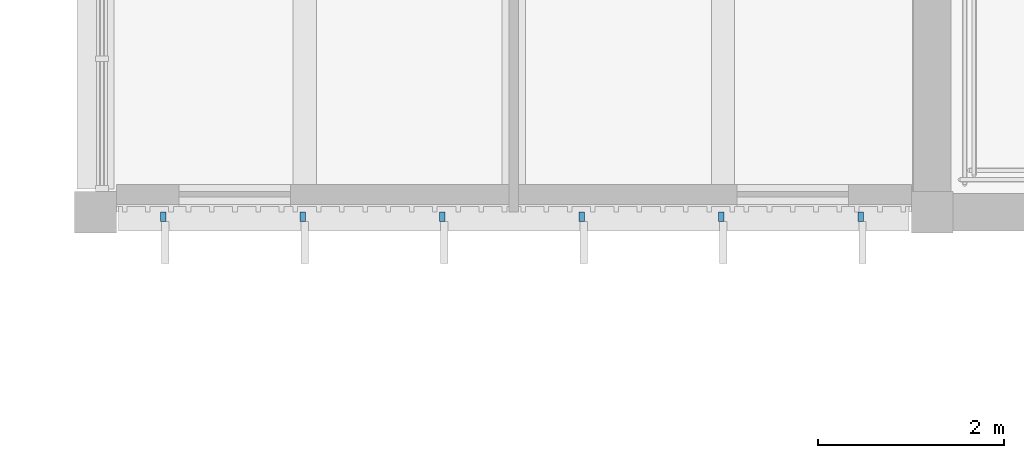
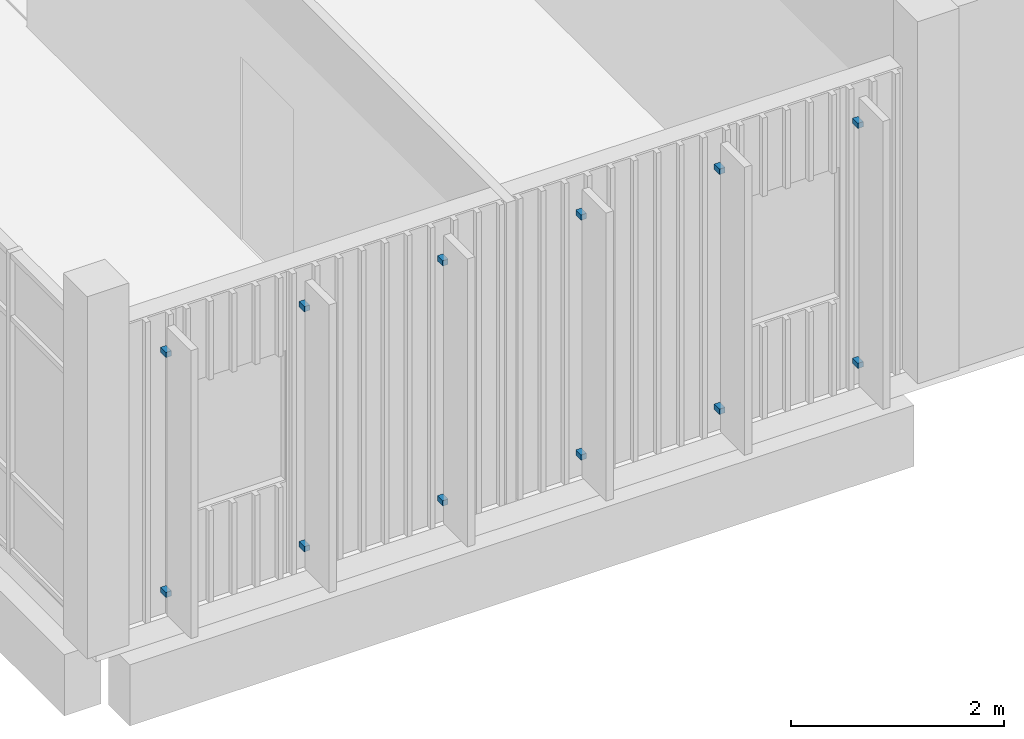
# One storey, part 63 of 88: 12 discrete accessories.
"""IFC4 building model written with IfcOpenShell, lengths in metres."""

from ifc_helpers import new_model, si_unit, direction, frame, origin, place, context, subcontext, project, spatial, polyline, outline, extrude, source, transform, mapped, material, type_object, element, save


model = new_model("IFC4")

# Units and contexts
model_context = context("Model", 3, precision=1e-05, world=origin(), true_north=direction((0.0, 1.0)))
body_context = subcontext(model_context, "Body", "Model", "MODEL_VIEW")
ifc_project = project(units=[si_unit("LENGTHUNIT", "METRE"), si_unit("AREAUNIT", "SQUARE_METRE"), si_unit("VOLUMEUNIT", "CUBIC_METRE"), si_unit("PLANEANGLEUNIT", "RADIAN"), si_unit("MASSUNIT", "GRAM", prefix="KILO")], contexts=[model_context])

# Site, building, storey
site_placement = place(None, origin())
site = spatial("IfcSite", under=ifc_project, at=site_placement, CompositionType="ELEMENT")
building_placement = place(site_placement, origin())
building = spatial("IfcBuilding", under=site, at=building_placement, Name="Merrow Basin Faculty of Sciences", CompositionType="ELEMENT")
storey_placement = place(building_placement, frame((0.0, 0.0, 9.0)))
storey = spatial("IfcBuildingStorey", under=building, at=storey_placement, Name="L02", CompositionType="ELEMENT", Elevation=9.0)

# Discrete accessories
ifc_material = material(Name="Steel ASTM A572 Gr 50", Category="steel")
discrete_accessory_type = type_object("IfcDiscreteAccessoryType", Name="Steel T bracket 60 x 60 timber fin", PredefinedType="BRACKET", material=ifc_material)
shared_shape = source(origin(), body_context, "Body", "SweptSolid", [
    extrude(outline(polyline([(0.0, 0.0), (0.06005859375, 0.0), (0.06005859375, 0.06005859375), (0.0, 0.06005859375), (0.0, 0.0)])), origin(), (0.0, 0.0, 1.0), 0.10009765625),
])
for number, where, z_axis, x_axis, name in (
    (1, (54.699951171875, 61.0009765625, 0.300048828125), (0.0, -1.0, 0.0), (1.0, 0.0, 0.0), "Fin bracket SL02"),
    (2, (54.699951171875, 61.0009765625, 3.050048828125), (0.0, -1.0, 0.0), (1.0, 0.0, 0.0), "Fin bracket SL02"),
    (3, (56.199951171875, 61.0009765625, 0.300048828125), (0.0, -1.0, 0.0), (1.0, 0.0, 0.0), "Fin bracket SL02"),
    (4, (56.199951171875, 61.0009765625, 3.050048828125), (0.0, -1.0, 0.0), (1.0, 0.0, 0.0), "Fin bracket SL02"),
    (5, (57.699951171875, 61.0009765625, 0.300048828125), (0.0, -1.0, 0.0), (1.0, 0.0, 0.0), "Fin bracket SL02"),
    (6, (57.699951171875, 61.0009765625, 3.050048828125), (0.0, -1.0, 0.0), (1.0, 0.0, 0.0), "Fin bracket SL02"),
    (7, (59.199951171875, 61.0009765625, 0.300048828125), (0.0, -1.0, 0.0), (1.0, 0.0, 0.0), "Fin bracket SL02"),
    (8, (59.199951171875, 61.0009765625, 3.050048828125), (0.0, -1.0, 0.0), (1.0, 0.0, 0.0), "Fin bracket SL02"),
    (9, (60.699951171875, 61.0009765625, 0.300048828125), (0.0, -1.0, 0.0), (1.0, 0.0, 0.0), "Fin bracket SL02"),
    (10, (60.699951171875, 61.0009765625, 3.050048828125), (0.0, -1.0, 0.0), (1.0, 0.0, 0.0), "Fin bracket SL02"),
    (11, (62.199951171875, 61.0009765625, 0.300048828125), (0.0, -1.0, 0.0), (1.0, 0.0, 0.0), "Fin bracket SL02"),
    (12, (62.199951171875, 61.0009765625, 3.050048828125), (0.0, -1.0, 0.0), (1.0, 0.0, 0.0), "Fin bracket SL02"),
):
    element("IfcDiscreteAccessory", number, at=place(storey_placement, frame(where, z_axis=z_axis, x_axis=x_axis)), inside=storey, type_object=discrete_accessory_type, Name=name, PredefinedType="BRACKET", context=body_context, shape_type="MappedRepresentation", body=[
        mapped(shared_shape, transform((0.0, 0.0, 0.0), scale=1.0)),
    ])

save(model, "model.ifc")
